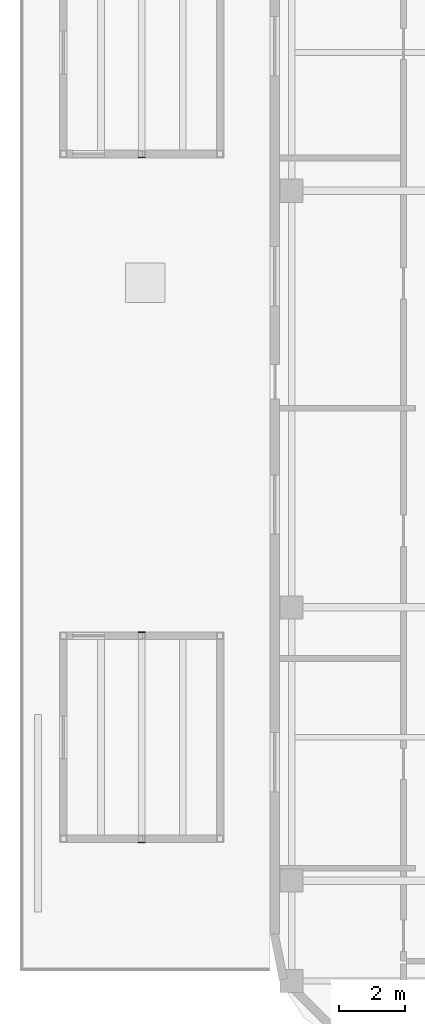
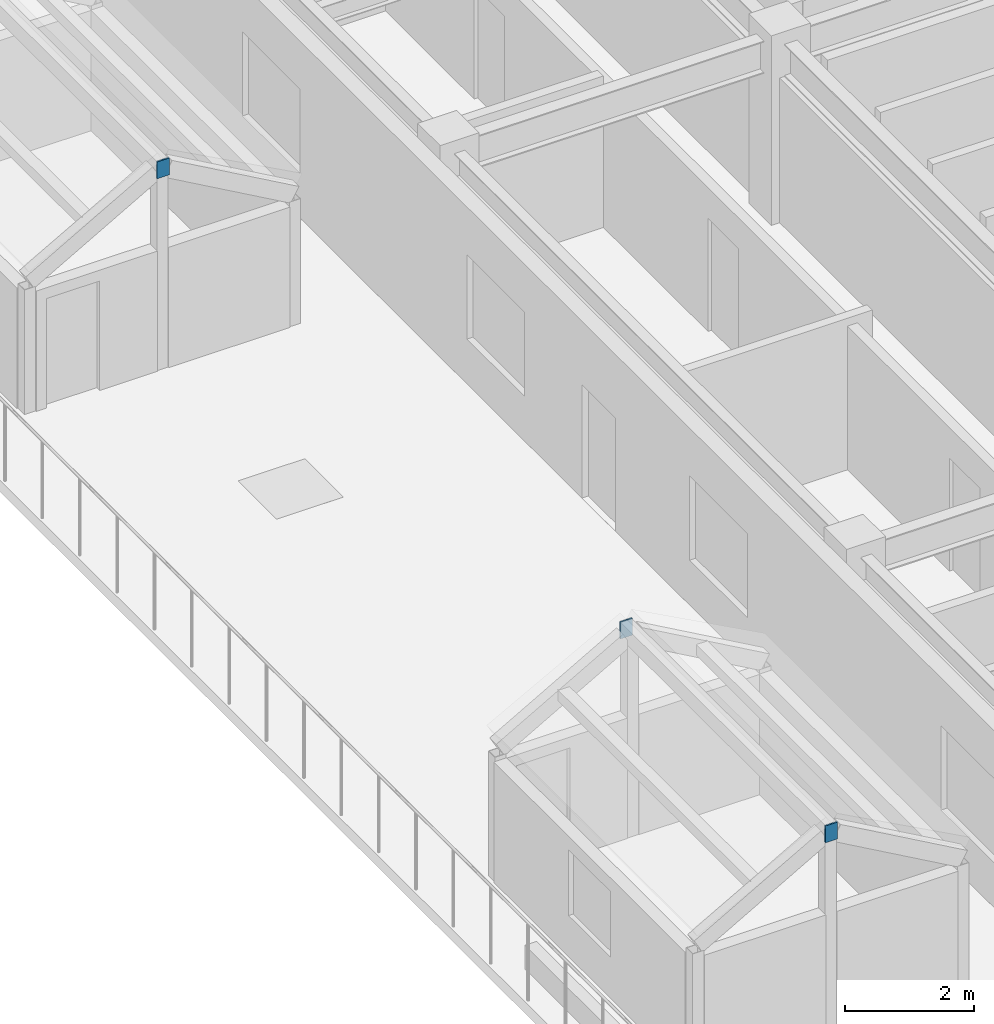
# One storey, part 9 of 16: 3 plates.
"""IFC4 building model written with IfcOpenShell, lengths in metres."""

from ifc_helpers import new_model, si_unit, direction, frame, origin, origin_2d, place, context, subcontext, project, spatial, rectangle, extrude, material, layer, layer_set, type_object, element, save


model = new_model("IFC4")

# Units and contexts
model_context = context("Model", 3, precision=1e-05, world=origin(), true_north=direction((0.0, 1.0)))
body_context = subcontext(model_context, "Body", "Model", "MODEL_VIEW")
ifc_project = project(units=[si_unit("LENGTHUNIT", "METRE"), si_unit("AREAUNIT", "SQUARE_METRE"), si_unit("VOLUMEUNIT", "CUBIC_METRE"), si_unit("PLANEANGLEUNIT", "RADIAN"), si_unit("MASSUNIT", "GRAM", prefix="KILO")], contexts=[model_context])

# Site, building, storey
site_placement = place(None, origin())
site = spatial("IfcSite", under=ifc_project, at=site_placement, CompositionType="ELEMENT")
building_placement = place(site_placement, origin())
building = spatial("IfcBuilding", under=site, at=building_placement, Name="Ochreholt Gables", CompositionType="ELEMENT")
storey_placement = place(building_placement, frame((0.0, 0.0, 141.0)))
storey = spatial("IfcBuildingStorey", under=building, at=storey_placement, Name="L36", CompositionType="ELEMENT", Elevation=141.0)

# Plates
ifc_material = material(Name="Steel CSA G40.21 350W", Category="steel")
ifc_layer = layer(ifc_material, 0.02490234375, Name="Steel CSA G40.21 350W")
ifc_layer_set = layer_set([ifc_layer], Name="Steel CSA G40.21 350W")
plate_type = type_object("IfcPlateType", Name="PL-ECP", PredefinedType="USERDEFINED", material=ifc_layer_set)
for number, where, z_axis, x_axis, name in (
    (1, (13.699951171875, 10.407958984375, 3.66259765625), (0.0, 0.0, 1.0), (1.0, 0.0, 0.0), "L36 Gable Ridge Welded End Cap Plate GB-36W1-S"),
    (2, (13.699951171875, 16.7919921875, 3.66259765625), (0.0, 0.0, 1.0), (1.0, 0.0, 0.0), "L36 Gable Ridge Welded End Cap Plate GB-36W1-N"),
    (3, (13.699951171875, 31.2080078125, 3.66259765625), (0.0, 0.0, 1.0), (1.0, 0.0, 0.0), "L36 Gable Ridge Welded End Cap Plate GB-36W2-S"),
):
    element("IfcPlate", number, at=place(storey_placement, frame(where, z_axis=z_axis, x_axis=x_axis)), inside=storey, type_object=plate_type, Name=name, ObjectType="END CAP PLATE", PredefinedType="USERDEFINED", context=body_context, shape_type="SweptSolid", body=[
        extrude(rectangle(XDim=0.219970703125, YDim=0.02490234375, at=origin_2d()), origin(), (0.0, 0.0, 1.0), 0.320068359375),
    ])

save(model, "model.ifc")
